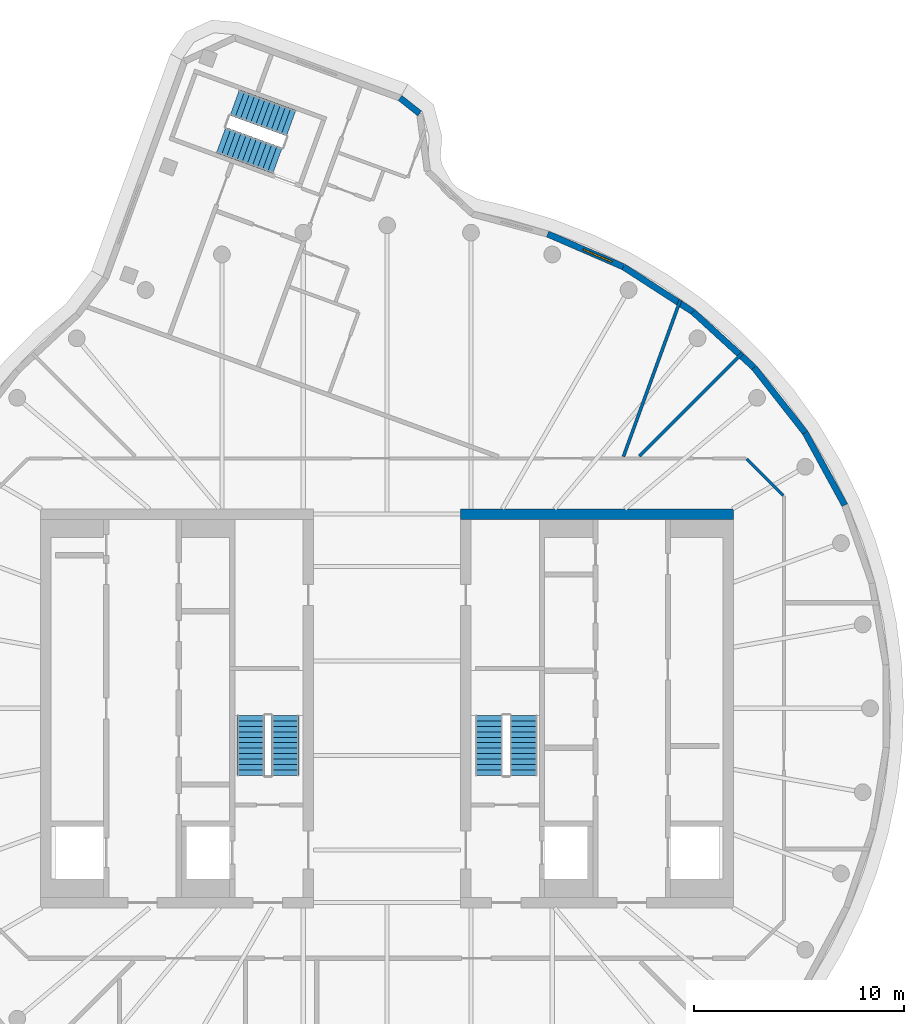
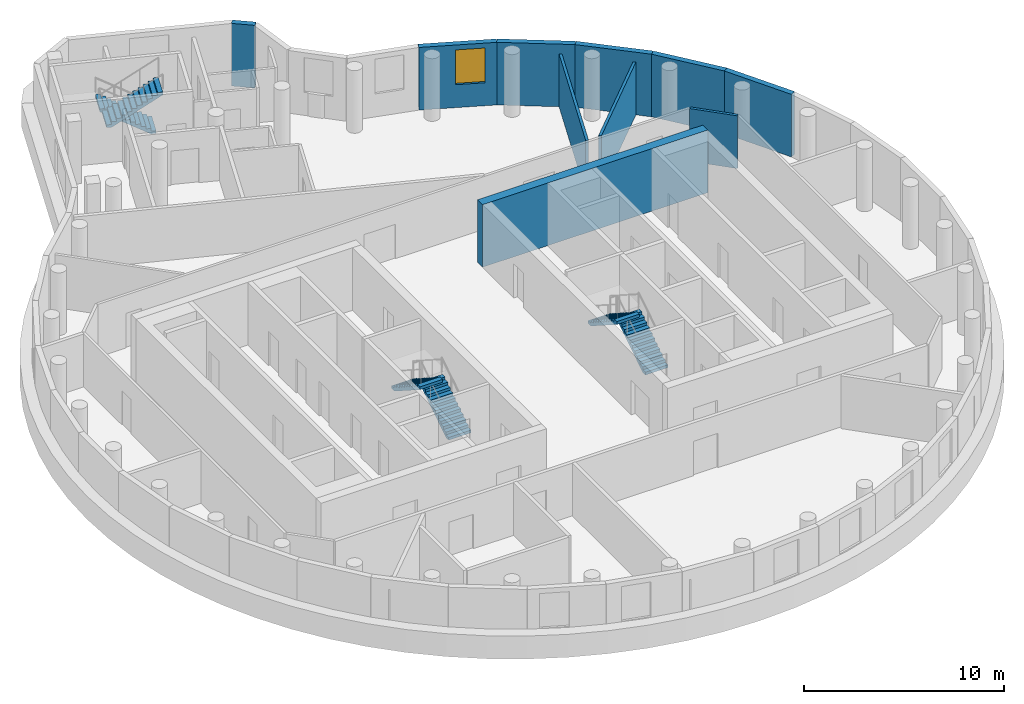
# One storey, part 6 of 7: 10 walls, 6 stair flights, 1 window, 1 opening, 3 elements without a shape of their own.
"""IFC4 building model written with IfcOpenShell, lengths in metres."""

from ifc_helpers import new_model, si_unit, direction, frame, frame_2d, origin, place, context, subcontext, project, spatial, polyline, rectangle, outline, extrude, material, layer, layer_set, type_object, element, fill, aggregate, save


model = new_model("IFC4")

# Units and contexts
model_context = context("Model", 3, precision=1e-05, world=origin(), true_north=direction((0.0, 1.0)))
body_context = subcontext(model_context, "Body", "Model", "MODEL_VIEW")
ifc_project = project(units=[si_unit("LENGTHUNIT", "METRE"), si_unit("AREAUNIT", "SQUARE_METRE"), si_unit("VOLUMEUNIT", "CUBIC_METRE"), si_unit("PLANEANGLEUNIT", "RADIAN"), si_unit("MASSUNIT", "GRAM", prefix="KILO")], contexts=[model_context])

# Site, building, storey
site_placement = place(None, origin())
site = spatial("IfcSite", under=ifc_project, at=site_placement, CompositionType="ELEMENT")
building_placement = place(site_placement, origin())
building = spatial("IfcBuilding", under=site, at=building_placement, Name="Tamarind Cross Interchange Tower", CompositionType="ELEMENT")
storey_placement = place(building_placement, frame((0.0, 0.0, 313.39990234375)))
storey = spatial("IfcBuildingStorey", under=building, at=storey_placement, Name="L77", CompositionType="ELEMENT", Elevation=313.39990234375)

# Walls
ifc_material_1 = material(Name="Concrete C50", Category="concrete")
ifc_layer_1 = layer(ifc_material_1, 0.5)
ifc_layer_set_1 = layer_set([ifc_layer_1], Name="Concrete C50")
wall_type_1 = type_object("IfcWallType", Name="Core wall 500 mm Concrete C50", PredefinedType="SHEAR", material=ifc_layer_set_1)
wall_1_placement = place(storey_placement, frame((16.5, 9.25, 0.0), z_axis=(0.0, 0.0, 1.0), x_axis=(-1.0, 0.0, 0.0)))
element("IfcWall", 1, at=wall_1_placement, inside=storey, type_object=wall_type_1, Name="Core wall CWL-L77-E-NE", PredefinedType="SHEAR", context=body_context, shape_type="SweptSolid", body=[
    extrude(rectangle(XDim=13.0, YDim=0.5, at=frame_2d((6.5, 0.0))), origin(), (0.0, 0.0, 1.0), 3.820068359375),
])
ifc_material_2 = material(Name="Gypsum board partition on steel studs", Category="steel")
ifc_layer_2 = layer(ifc_material_2, 0.14990234375)
ifc_layer_set_2 = layer_set([ifc_layer_2], Name="Gypsum board partition on steel studs")
wall_type_2 = type_object("IfcWallType", Name="Partition 150 mm EI 120", PredefinedType="PARTITIONING", material=ifc_layer_set_2)
wall_2_placement = place(storey_placement, frame((17.12841796875, 11.87158203125, 0.0), z_axis=(0.0, 0.0, 1.0), x_axis=(0.707106781187, -0.707106781187, 0.0)))
element("IfcWall", 2, at=wall_2_placement, inside=storey, type_object=wall_type_2, Name="Partition L77-004", PredefinedType="PARTITIONING", context=body_context, shape_type="SweptSolid", body=[
    extrude(rectangle(XDim=2.465087890625, YDim=0.14990234375, at=frame_2d((1.232421875, 0.0))), origin(), (0.0, 0.0, 1.0), 3.22021484375),
])
wall_3_placement = place(storey_placement, frame((12.009521484375, 12.009521484375, 0.0), z_axis=(0.0, 0.0, 1.0), x_axis=(0.707106781187, 0.707106781187, 0.0)))
element("IfcWall", 3, at=wall_3_placement, inside=storey, type_object=wall_type_2, Name="Partition L77-021", PredefinedType="PARTITIONING", context=body_context, shape_type="SweptSolid", body=[
    extrude(rectangle(XDim=6.954345703125, YDim=0.14990234375, at=frame_2d((3.47705078125, 0.0))), origin(), (0.0, 0.0, 1.0), 3.22021484375),
])
wall_4_placement = place(storey_placement, frame((11.25390625, 11.984619140625, 0.0), z_axis=(0.0, 0.0, 1.0), x_axis=(0.341898627175, 0.93973684015, 0.0)))
element("IfcWall", 4, at=wall_4_placement, inside=storey, type_object=wall_type_2, Name="Partition L77-031", PredefinedType="PARTITIONING", context=body_context, shape_type="SweptSolid", body=[
    extrude(rectangle(XDim=7.938232421875, YDim=0.14990234375, at=frame_2d((3.96923828125, 0.0))), origin(), (0.0, 0.0, 1.0), 3.22021484375),
])
ifc_material_3 = material(Name="Precast concrete C40", Category="concrete")
ifc_layer_3 = layer(ifc_material_3, 0.300048828125)
ifc_layer_set_3 = layer_set([ifc_layer_3], Name="Precast concrete C40")
wall_type_3 = type_object("IfcWallType", Name="Plant louvre wall", PredefinedType="SOLIDWALL", material=ifc_layer_set_3)
wall_5_placement = place(storey_placement, frame((21.7958984375, 9.672607421875, 0.0), z_axis=(0.0, 0.0, 1.0), x_axis=(-0.479742253376, 0.877409465601, 0.0)))
element("IfcWall", 5, at=wall_5_placement, inside=storey, type_object=wall_type_3, Name="EXW-L77-02-28", PredefinedType="SOLIDWALL", context=body_context, shape_type="SweptSolid", body=[
    extrude(rectangle(XDim=3.9384765625, YDim=0.300048828125, at=frame_2d((1.96923828125, 0.0))), origin(), (0.0, 0.0, 1.0), 3.820068359375),
])
wall_6_placement = place(storey_placement, frame((19.906494140625, 13.128173828125, 0.0), z_axis=(0.0, 0.0, 1.0), x_axis=(-0.617577851206, 0.786509756901, 0.0)))
element("IfcWall", 6, at=wall_6_placement, inside=storey, type_object=wall_type_3, Name="EXW-L77-02-29", PredefinedType="SOLIDWALL", context=body_context, shape_type="SweptSolid", body=[
    extrude(rectangle(XDim=3.938232421875, YDim=0.300048828125, at=frame_2d((1.96923828125, 0.0))), origin(), (0.0, 0.0, 1.0), 3.820068359375),
])
wall_7_placement = place(storey_placement, frame((17.474365234375, 16.2255859375, 0.0), z_axis=(0.0, 0.0, 1.0), x_axis=(-0.738634435884, 0.674106200926, 0.0)))
element("IfcWall", 7, at=wall_7_placement, inside=storey, type_object=wall_type_3, Name="EXW-L77-02-30", PredefinedType="SOLIDWALL", context=body_context, shape_type="SweptSolid", body=[
    extrude(rectangle(XDim=3.9384765625, YDim=0.300048828125, at=frame_2d((1.96923828125, 0.0))), origin(), (0.0, 0.0, 1.0), 3.820068359375),
])
wall_8_placement = place(storey_placement, frame((14.565185546875, 18.880615234375, 0.0), z_axis=(0.0, 0.0, 1.0), x_axis=(-0.839498632024, 0.54336180104, 0.0)))
element("IfcWall", 8, at=wall_8_placement, inside=storey, type_object=wall_type_3, Name="EXW-L77-02-31", PredefinedType="SOLIDWALL", context=body_context, shape_type="SweptSolid", body=[
    extrude(rectangle(XDim=3.938232421875, YDim=0.300048828125, at=frame_2d((1.96923828125, 0.0))), origin(), (0.0, 0.0, 1.0), 3.820068359375),
])

# Wall, opening, window
wall_9_placement = place(storey_placement, frame((11.259033203125, 21.0205078125, 0.0), z_axis=(0.0, 0.0, 1.0), x_axis=(-0.917505110173, 0.397723990735, 0.0)))
wall_9 = element("IfcWall", 9, at=wall_9_placement, inside=storey, type_object=wall_type_3, Name="EXW-L77-02-32", PredefinedType="SOLIDWALL", context=body_context, shape_type="SweptSolid", body=[
    extrude(rectangle(XDim=3.9384765625, YDim=0.300048828125, at=frame_2d((1.96923828125, 0.0))), origin(), (0.0, 0.0, 1.0), 3.820068359375),
])
opening_placement = place(wall_9_placement, frame((0.60009765625, 0.0, 1.39990234375)))
opening = element("IfcOpeningElement", 10, at=opening_placement, cuts=wall_9, Name="Opening W2", PredefinedType="OPENING", context=body_context, shape_type="SweptSolid", body=[
    extrude(rectangle(XDim=1.498291015625, YDim=2.1201171875, at=frame_2d((0.7490234375, 1.06005859375))), frame((0.0, 0.159912109375, 0.0), z_axis=(0.0, -1.0, 0.0), x_axis=(1.0, 0.0, 0.0)), (0.0, 0.0, 1.0), 0.320068359375),
])
ifc_material_4 = material(Name="Aluminium louvre", Category="aluminium")
window_type = type_object("IfcWindowType", Name="Plant louvre bank", PartitioningType="SINGLE_PANEL", PredefinedType="WINDOW", material=ifc_material_4)
window_placement = place(opening_placement, origin())
window = element("IfcWindow", 11, at=window_placement, inside=storey, type_object=window_type, Name="WIN-L77-02-32", OverallHeight=2.1201171875, OverallWidth=1.498291015625, PartitioningType="SINGLE_PANEL", PredefinedType="WINDOW", context=body_context, shape_type="SweptSolid", body=[
    extrude(rectangle(XDim=1.498291015625, YDim=2.1201171875, at=frame_2d((0.7490234375, 1.06005859375))), frame((0.0, 0.030029296875, 0.0), z_axis=(0.0, -1.0, 0.0), x_axis=(1.0, 0.0, 0.0)), (0.0, 0.0, 1.0), 0.06005859375),
])
fill(opening, window)

# Wall
wall_10_placement = place(storey_placement, frame((1.55029296875, 28.32568359375, 0.0), z_axis=(0.0, 0.0, 1.0), x_axis=(-0.78354593718, 0.621333858991, 0.0)))
element("IfcWall", 12, at=wall_10_placement, inside=storey, type_object=wall_type_3, Name="EXW-L77-02-36", PredefinedType="SOLIDWALL", context=body_context, shape_type="SweptSolid", body=[
    extrude(rectangle(XDim=1.18896484375, YDim=0.300048828125, at=frame_2d((0.594482421875, 0.0))), origin(), (0.0, 0.0, 1.0), 3.820068359375),
])

# Stair, stair flights
ifc_material_5 = material(Name="Exit stair")
stair_type = type_object("IfcStairType", Name="Exit stair", PredefinedType="HALF_TURN_STAIR", material=ifc_material_5)
stair_1_placement = place(storey_placement, origin())
stair_1 = element("IfcStair", 13, at=stair_1_placement, inside=storey, type_object=stair_type, Name="L77 exit stair ST1", PredefinedType="HALF_TURN_STAIR")
ifc_material_6 = material(Name="Exit stair flight")
stair_flight_type = type_object("IfcStairFlightType", Name="Exit stair flight", PredefinedType="STRAIGHT", material=ifc_material_6)
stair_flight_1_placement = place(storey_placement, frame((-4.85009765625, -3.199951171875, 0.0), z_axis=(0.0, 0.0, 1.0), x_axis=(0.0, 1.0, 0.0)))
stair_flight_1 = element("IfcStairFlight", 14, at=stair_flight_1_placement, type_object=stair_flight_type, Name="ST1 flight 1", NumberOfRisers=12, NumberOfTreads=11, PredefinedType="STRAIGHT", RiserHeight=0.166666667, TreadLength=0.26, context=body_context, shape_type="SweptSolid", body=[
    extrude(outline(polyline([(0.0, 0.0), (0.0, 0.166748046875), (0.260009765625, 0.166748046875), (0.260009765625, 0.333251953125), (0.52001953125, 0.333251953125), (0.52001953125, 0.5), (0.780029296875, 0.5), (0.780029296875, 0.666748046875), (1.0400390625, 0.666748046875), (1.0400390625, 0.833251953125), (1.300048828125, 0.833251953125), (1.300048828125, 1.0), (1.56005859375, 1.0), (1.56005859375, 1.166748046875), (1.820068359375, 1.166748046875), (1.820068359375, 1.333251953125), (2.080078125, 1.333251953125), (2.080078125, 1.5), (2.340087890625, 1.5), (2.340087890625, 1.666748046875), (2.60009765625, 1.666748046875), (2.60009765625, 1.833251953125), (2.860107421875, 1.833251953125), (2.860107421875, 2.0), (2.860107421875, 1.6552734375), (0.27783203125, 0.0), (0.0, 0.0)])), frame((0.0, 0.64990234375, 0.0), z_axis=(0.0, -1.0, 0.0), x_axis=(1.0, 0.0, 0.0)), (0.0, 0.0, 1.0), 1.300048828125),
])
stair_flight_2_placement = place(storey_placement, frame((-6.5, -0.340087890625, 2.0), z_axis=(0.0, 0.0, 1.0), x_axis=(0.0, -1.0, 0.0)))
stair_flight_2 = element("IfcStairFlight", 15, at=stair_flight_2_placement, type_object=stair_flight_type, Name="ST1 flight 2", NumberOfRisers=12, NumberOfTreads=11, PredefinedType="STRAIGHT", RiserHeight=0.166666667, TreadLength=0.26, context=body_context, shape_type="SweptSolid", body=[
    extrude(outline(polyline([(0.0, 0.0), (0.0, 0.166748046875), (0.260009765625, 0.166748046875), (0.260009765625, 0.333251953125), (0.52001953125, 0.333251953125), (0.52001953125, 0.5), (0.780029296875, 0.5), (0.780029296875, 0.666748046875), (1.0400390625, 0.666748046875), (1.0400390625, 0.833251953125), (1.300048828125, 0.833251953125), (1.300048828125, 1.0), (1.56005859375, 1.0), (1.56005859375, 1.166748046875), (1.820068359375, 1.166748046875), (1.820068359375, 1.333251953125), (2.080078125, 1.333251953125), (2.080078125, 1.5), (2.340087890625, 1.5), (2.340087890625, 1.666748046875), (2.60009765625, 1.666748046875), (2.60009765625, 1.833251953125), (2.860107421875, 1.833251953125), (2.860107421875, 2.0), (2.860107421875, 1.6552734375), (0.27783203125, 0.0), (0.0, 0.0)])), frame((0.0, 0.64990234375, 0.0), z_axis=(0.0, -1.0, 0.0), x_axis=(1.0, 0.0, 0.0)), (0.0, 0.0, 1.0), 1.300048828125),
])
aggregate(stair_1, [stair_flight_1, stair_flight_2])

stair_2_placement = place(storey_placement, origin())
stair_2 = element("IfcStair", 16, at=stair_2_placement, inside=storey, type_object=stair_type, Name="L77 exit stair ST2", PredefinedType="HALF_TURN_STAIR")
stair_flight_3_placement = place(storey_placement, frame((6.5, -3.199951171875, 0.0), z_axis=(0.0, 0.0, 1.0), x_axis=(0.0, 1.0, 0.0)))
stair_flight_3 = element("IfcStairFlight", 17, at=stair_flight_3_placement, type_object=stair_flight_type, Name="ST2 flight 1", NumberOfRisers=12, NumberOfTreads=11, PredefinedType="STRAIGHT", RiserHeight=0.166666667, TreadLength=0.26, context=body_context, shape_type="SweptSolid", body=[
    extrude(outline(polyline([(0.0, 0.0), (0.0, 0.166748046875), (0.260009765625, 0.166748046875), (0.260009765625, 0.333251953125), (0.52001953125, 0.333251953125), (0.52001953125, 0.5), (0.780029296875, 0.5), (0.780029296875, 0.666748046875), (1.0400390625, 0.666748046875), (1.0400390625, 0.833251953125), (1.300048828125, 0.833251953125), (1.300048828125, 1.0), (1.56005859375, 1.0), (1.56005859375, 1.166748046875), (1.820068359375, 1.166748046875), (1.820068359375, 1.333251953125), (2.080078125, 1.333251953125), (2.080078125, 1.5), (2.340087890625, 1.5), (2.340087890625, 1.666748046875), (2.60009765625, 1.666748046875), (2.60009765625, 1.833251953125), (2.860107421875, 1.833251953125), (2.860107421875, 2.0), (2.860107421875, 1.6552734375), (0.27783203125, 0.0), (0.0, 0.0)])), frame((0.0, 0.64990234375, 0.0), z_axis=(0.0, -1.0, 0.0), x_axis=(1.0, 0.0, 0.0)), (0.0, 0.0, 1.0), 1.300048828125),
])
stair_flight_4_placement = place(storey_placement, frame((4.85009765625, -0.340087890625, 2.0), z_axis=(0.0, 0.0, 1.0), x_axis=(0.0, -1.0, 0.0)))
stair_flight_4 = element("IfcStairFlight", 18, at=stair_flight_4_placement, type_object=stair_flight_type, Name="ST2 flight 2", NumberOfRisers=12, NumberOfTreads=11, PredefinedType="STRAIGHT", RiserHeight=0.166666667, TreadLength=0.26, context=body_context, shape_type="SweptSolid", body=[
    extrude(outline(polyline([(0.0, 0.0), (0.0, 0.166748046875), (0.260009765625, 0.166748046875), (0.260009765625, 0.333251953125), (0.52001953125, 0.333251953125), (0.52001953125, 0.5), (0.780029296875, 0.5), (0.780029296875, 0.666748046875), (1.0400390625, 0.666748046875), (1.0400390625, 0.833251953125), (1.300048828125, 0.833251953125), (1.300048828125, 1.0), (1.56005859375, 1.0), (1.56005859375, 1.166748046875), (1.820068359375, 1.166748046875), (1.820068359375, 1.333251953125), (2.080078125, 1.333251953125), (2.080078125, 1.5), (2.340087890625, 1.5), (2.340087890625, 1.666748046875), (2.60009765625, 1.666748046875), (2.60009765625, 1.833251953125), (2.860107421875, 1.833251953125), (2.860107421875, 2.0), (2.860107421875, 1.6552734375), (0.27783203125, 0.0), (0.0, 0.0)])), frame((0.0, 0.64990234375, 0.0), z_axis=(0.0, -1.0, 0.0), x_axis=(1.0, 0.0, 0.0)), (0.0, 0.0, 1.0), 1.300048828125),
])
aggregate(stair_2, [stair_flight_3, stair_flight_4])

stair_3_placement = place(storey_placement, origin())
stair_3 = element("IfcStair", 19, at=stair_3_placement, inside=storey, type_object=stair_type, Name="L77 exit stair ST4", PredefinedType="HALF_TURN_STAIR")
stair_flight_5_placement = place(storey_placement, frame((-4.5693359375, 27.866455078125, 0.0), z_axis=(0.0, 0.0, 1.0), x_axis=(-0.939702171424, 0.341993902024, 0.0)))
stair_flight_5 = element("IfcStairFlight", 20, at=stair_flight_5_placement, type_object=stair_flight_type, Name="ST4 flight 1", NumberOfRisers=12, NumberOfTreads=11, PredefinedType="STRAIGHT", RiserHeight=0.166666667, TreadLength=0.26, context=body_context, shape_type="SweptSolid", body=[
    extrude(outline(polyline([(0.0, 0.0), (0.0, 0.166748046875), (0.260009765625, 0.166748046875), (0.260009765625, 0.333251953125), (0.52001953125, 0.333251953125), (0.52001953125, 0.5), (0.780029296875, 0.5), (0.780029296875, 0.666748046875), (1.0400390625, 0.666748046875), (1.0400390625, 0.833251953125), (1.300048828125, 0.833251953125), (1.300048828125, 1.0), (1.56005859375, 1.0), (1.56005859375, 1.166748046875), (1.820068359375, 1.166748046875), (1.820068359375, 1.333251953125), (2.080078125, 1.333251953125), (2.080078125, 1.5), (2.340087890625, 1.5), (2.340087890625, 1.666748046875), (2.60009765625, 1.666748046875), (2.60009765625, 1.833251953125), (2.860107421875, 1.833251953125), (2.860107421875, 2.0), (2.860107421875, 1.6552734375), (0.27783203125, 0.0), (0.0, 0.0)])), frame((0.0, 0.64990234375, 0.0), z_axis=(0.0, -1.0, 0.0), x_axis=(1.0, 0.0, 0.0)), (0.0, 0.0, 1.0), 1.300048828125),
])
stair_flight_6_placement = place(storey_placement, frame((-7.906494140625, 27.05908203125, 2.0), z_axis=(0.0, 0.0, 1.0), x_axis=(0.939702171424, -0.341993902024, 0.0)))
stair_flight_6 = element("IfcStairFlight", 21, at=stair_flight_6_placement, type_object=stair_flight_type, Name="ST4 flight 2", NumberOfRisers=12, NumberOfTreads=11, PredefinedType="STRAIGHT", RiserHeight=0.166666667, TreadLength=0.26, context=body_context, shape_type="SweptSolid", body=[
    extrude(outline(polyline([(0.0, 0.0), (0.0, 0.166748046875), (0.260009765625, 0.166748046875), (0.260009765625, 0.333251953125), (0.52001953125, 0.333251953125), (0.52001953125, 0.5), (0.780029296875, 0.5), (0.780029296875, 0.666748046875), (1.0400390625, 0.666748046875), (1.0400390625, 0.833251953125), (1.300048828125, 0.833251953125), (1.300048828125, 1.0), (1.56005859375, 1.0), (1.56005859375, 1.166748046875), (1.820068359375, 1.166748046875), (1.820068359375, 1.333251953125), (2.080078125, 1.333251953125), (2.080078125, 1.5), (2.340087890625, 1.5), (2.340087890625, 1.666748046875), (2.60009765625, 1.666748046875), (2.60009765625, 1.833251953125), (2.860107421875, 1.833251953125), (2.860107421875, 2.0), (2.860107421875, 1.6552734375), (0.27783203125, 0.0), (0.0, 0.0)])), frame((0.0, 0.64990234375, 0.0), z_axis=(0.0, -1.0, 0.0), x_axis=(1.0, 0.0, 0.0)), (0.0, 0.0, 1.0), 1.300048828125),
])
aggregate(stair_3, [stair_flight_5, stair_flight_6])

save(model, "model.ifc")
